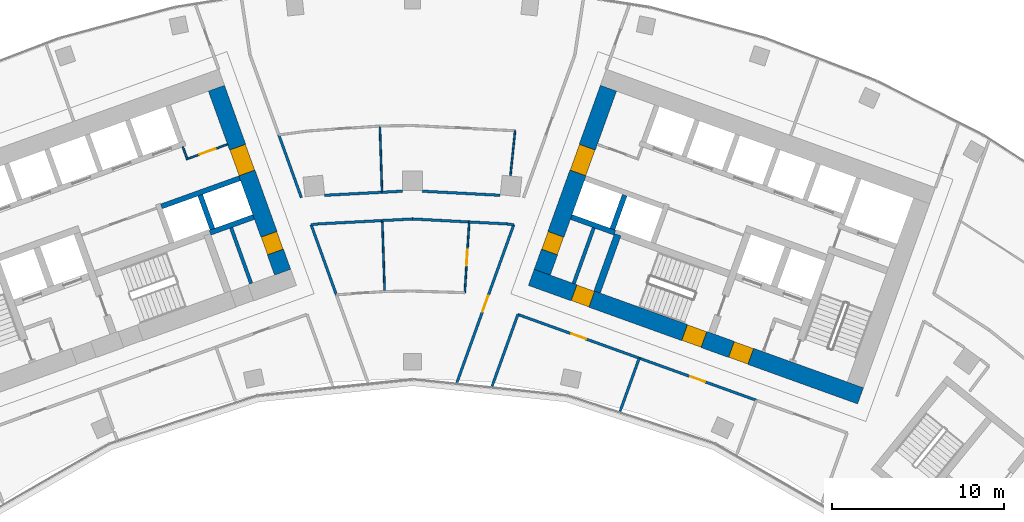
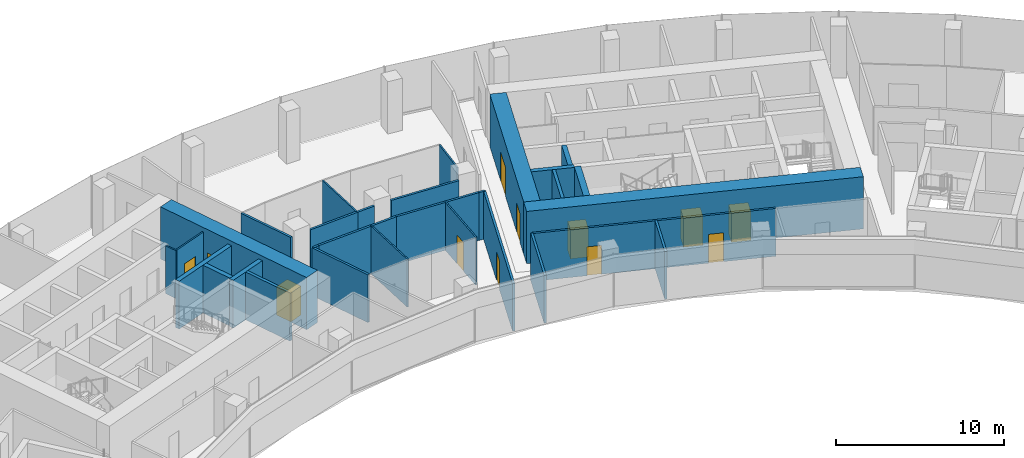
# One storey, part 14 of 19: 33 walls, 12 doors, 12 openings.
"""IFC4 building model written with IfcOpenShell, lengths in metres."""

from ifc_helpers import new_model, si_unit, direction, frame, frame_2d, origin, place, context, subcontext, project, spatial, rectangle, extrude, material, layer, layer_set, type_object, element, fill, save


model = new_model("IFC4")

# Units and contexts
model_context = context("Model", 3, precision=1e-05, world=origin(), true_north=direction((0.0, 1.0)))
body_context = subcontext(model_context, "Body", "Model", "MODEL_VIEW")
ifc_project = project(units=[si_unit("LENGTHUNIT", "METRE"), si_unit("AREAUNIT", "SQUARE_METRE"), si_unit("VOLUMEUNIT", "CUBIC_METRE"), si_unit("PLANEANGLEUNIT", "RADIAN"), si_unit("MASSUNIT", "GRAM", prefix="KILO")], contexts=[model_context])

# Site, building, storey
site_placement = place(None, origin())
site = spatial("IfcSite", under=ifc_project, at=site_placement, CompositionType="ELEMENT")
building_placement = place(site_placement, origin())
building = spatial("IfcBuilding", under=site, at=building_placement, Name="Stone Belt Terrace Tower", CompositionType="ELEMENT")
storey_placement = place(building_placement, frame((0.0, 0.0, 208.60009765625)))
storey = spatial("IfcBuildingStorey", under=building, at=storey_placement, Name="L50", CompositionType="ELEMENT", Elevation=208.60009765625)

# Wall
ifc_material_1 = material(Name="Plasterboard partition")
ifc_layer_1 = layer(ifc_material_1, 0.10009765625)
ifc_layer_set_1 = layer_set([ifc_layer_1], Name="Core partition 100")
wall_type_1 = type_object("IfcWallType", Name="Core partition 100", PredefinedType="PARTITIONING", material=ifc_layer_set_1)
wall_1_placement = place(storey_placement, frame((-13.115966796875, 56.230712890625, 0.0), z_axis=(0.0, 0.0, 1.0), x_axis=(-0.338481684961, 0.940972979923, 0.0)))
element("IfcWall", 1, at=wall_1_placement, inside=storey, type_object=wall_type_1, Name="Core A wall", PredefinedType="PARTITIONING", context=body_context, shape_type="SweptSolid", body=[
    extrude(rectangle(XDim=0.7998046875, YDim=0.10009765625, at=frame_2d((0.39990234375, 0.0))), origin(), (0.0, 0.0, 1.0), 3.47998046875),
])

# Wall, opening, door
wall_2_placement = place(storey_placement, frame((-13.085693359375, 56.294677734375, 0.0), z_axis=(0.0, 0.0, 1.0), x_axis=(0.940922976849, 0.338620660383, 0.0)))
wall_2 = element("IfcWall", 2, at=wall_2_placement, inside=storey, type_object=wall_type_1, Name="Core A wall", PredefinedType="PARTITIONING", context=body_context, shape_type="SweptSolid", body=[
    extrude(rectangle(XDim=2.449951171875, YDim=0.10009765625, at=frame_2d((1.22509765625, 0.0))), origin(), (0.0, 0.0, 1.0), 3.47998046875),
])
opening_1_placement = place(wall_2_placement, frame((0.699951171875, 0.0, 0.0)))
opening_1 = element("IfcOpeningElement", 3, at=opening_1_placement, cuts=wall_2, Name="Opening L50-C01", PredefinedType="OPENING", context=body_context, shape_type="SweptSolid", body=[
    extrude(rectangle(XDim=1.0, YDim=2.10009765625, at=frame_2d((0.5, 1.050048828125))), frame((0.0, 0.06005859375, 0.0), z_axis=(0.0, -1.0, 0.0), x_axis=(1.0, 0.0, 0.0)), (0.0, 0.0, 1.0), 0.1201171875),
])
ifc_material_2 = material(Name="Timber door leaf", Category="wood")
door_type_1 = type_object("IfcDoorType", Name="Core room door 1000", OperationType="SINGLE_SWING_LEFT", PredefinedType="DOOR", material=ifc_material_2)
door_1_placement = place(opening_1_placement, origin())
door_1 = element("IfcDoor", 4, at=door_1_placement, inside=storey, type_object=door_type_1, Name="Door to Staff pantry core A", OperationType="SINGLE_SWING_RIGHT", OverallHeight=2.10009765625, OverallWidth=1.0, PredefinedType="DOOR", context=body_context, shape_type="SweptSolid", body=[
    extrude(rectangle(XDim=1.0, YDim=2.10009765625, at=frame_2d((0.5, 1.050048828125))), frame((0.0, 0.02490234375, 0.0), z_axis=(0.0, -1.0, 0.0), x_axis=(1.0, 0.0, 0.0)), (0.0, 0.0, 1.0), 0.050048828125),
])
fill(opening_1, door_1)

# Wall, openings, doors
ifc_material_3 = material(Name="Concrete B60", Category="concrete")
ifc_layer_2 = layer(ifc_material_3, 1.0)
ifc_layer_set_2 = layer_set([ifc_layer_2], Name="Core wall 1000 B60")
wall_type_2 = type_object("IfcWallType", Name="Core wall 1000 B60", PredefinedType="SHEAR", material=ifc_layer_set_2)
wall_3_placement = place(storey_placement, frame((-7.567138671875, 49.672119140625, 0.0), z_axis=(0.0, 0.0, 1.0), x_axis=(-0.338625431531, 0.940921259788, 0.0)))
wall_3 = element("IfcWall", 5, at=wall_3_placement, inside=storey, type_object=wall_type_2, Name="Core A wall end_b L50", PredefinedType="SHEAR", context=body_context, shape_type="SweptSolid", body=[
    extrude(rectangle(XDim=11.400146484375, YDim=1.0, at=frame_2d((5.7001953125, 0.0))), origin(), (0.0, 0.0, 1.0), 3.7998046875),
])
opening_2_placement = place(wall_3_placement, frame((6.14990234375, 0.0, 0.0)))
opening_2 = element("IfcOpeningElement", 6, at=opening_2_placement, cuts=wall_3, Name="Opening L50-C04", PredefinedType="OPENING", context=body_context, shape_type="SweptSolid", body=[
    extrude(rectangle(XDim=1.60009765625, YDim=2.10009765625, at=frame_2d((0.800048828125, 1.050048828125))), frame((0.0, 0.510009765625, 0.0), z_axis=(0.0, -1.0, 0.0), x_axis=(1.0, 0.0, 0.0)), (0.0, 0.0, 1.0), 1.02001953125),
])
opening_3_placement = place(wall_3_placement, frame((1.25, 0.0, 0.0)))
opening_3 = element("IfcOpeningElement", 7, at=opening_3_placement, cuts=wall_3, Name="Opening L50-C10", PredefinedType="OPENING", context=body_context, shape_type="SweptSolid", body=[
    extrude(rectangle(XDim=1.10009765625, YDim=2.10009765625, at=frame_2d((0.550048828125, 1.050048828125))), frame((0.0, 0.510009765625, 0.0), z_axis=(0.0, -1.0, 0.0), x_axis=(1.0, 0.0, 0.0)), (0.0, 0.0, 1.0), 1.02001953125),
])
door_type_2 = type_object("IfcDoorType", Name="Core room door 1100", OperationType="SINGLE_SWING_LEFT", PredefinedType="DOOR", material=ifc_material_2)
door_2_placement = place(opening_3_placement, origin())
door_2 = element("IfcDoor", 8, at=door_2_placement, inside=storey, type_object=door_type_2, Name="Door to Cleaner's store core A", OperationType="SINGLE_SWING_LEFT", OverallHeight=2.10009765625, OverallWidth=1.10009765625, PredefinedType="DOOR", context=body_context, shape_type="SweptSolid", body=[
    extrude(rectangle(XDim=1.10009765625, YDim=2.10009765625, at=frame_2d((0.550048828125, 1.050048828125))), frame((0.0, 0.47998046875, 0.0), z_axis=(0.0, -1.0, 0.0), x_axis=(1.0, 0.0, 0.0)), (0.0, 0.0, 1.0), 0.9599609375),
])
fill(opening_3, door_2)
ifc_material_4 = material(Name="Glazed aluminium door leaf", Category="aluminium")
door_type_3 = type_object("IfcDoorType", Name="Lift lobby entrance door 1600", OperationType="DOUBLE_DOOR_SINGLE_SWING", PredefinedType="DOOR", material=ifc_material_4)
door_3_placement = place(opening_2_placement, origin())
door_3 = element("IfcDoor", 9, at=door_3_placement, inside=storey, type_object=door_type_3, Name="Lift lobby entrance door core A", OperationType="DOUBLE_DOOR_SINGLE_SWING", OverallHeight=2.10009765625, OverallWidth=1.60009765625, PredefinedType="DOOR", context=body_context, shape_type="SweptSolid", body=[
    extrude(rectangle(XDim=1.60009765625, YDim=2.10009765625, at=frame_2d((0.800048828125, 1.050048828125))), frame((0.0, 0.47998046875, 0.0), z_axis=(0.0, -1.0, 0.0), x_axis=(1.0, 0.0, 0.0)), (0.0, 0.0, 1.0), 0.9599609375),
])
fill(opening_2, door_3)

wall_4_placement = place(storey_placement, frame((6.927490234375, 49.370849609375, 0.0), z_axis=(0.0, 0.0, 1.0), x_axis=(0.940921428504, -0.338624962727, 0.0)))
wall_4 = element("IfcWall", 10, at=wall_4_placement, inside=storey, type_object=wall_type_2, Name="Core B wall concave L50", PredefinedType="SHEAR", context=body_context, shape_type="SweptSolid", body=[
    extrude(rectangle(XDim=20.400146484375, YDim=1.0, at=frame_2d((10.2001953125, 0.0))), origin(), (0.0, 0.0, 1.0), 3.7998046875),
])
opening_4_placement = place(wall_4_placement, frame((12.39990234375, 0.0, 0.0)))
opening_4 = element("IfcOpeningElement", 11, at=opening_4_placement, cuts=wall_4, Name="Opening L50-C18", PredefinedType="OPENING", context=body_context, shape_type="SweptSolid", body=[
    extrude(rectangle(XDim=1.199951171875, YDim=2.10009765625, at=frame_2d((0.60009765625, 1.050048828125))), frame((0.0, 0.510009765625, 0.0), z_axis=(0.0, -1.0, 0.0), x_axis=(1.0, 0.0, 0.0)), (0.0, 0.0, 1.0), 1.02001953125),
])
opening_5_placement = place(wall_4_placement, frame((9.5, 0.0, 0.0)))
opening_5 = element("IfcOpeningElement", 12, at=opening_5_placement, cuts=wall_4, Name="Opening L50-C20", PredefinedType="OPENING", context=body_context, shape_type="SweptSolid", body=[
    extrude(rectangle(XDim=1.199951171875, YDim=2.10009765625, at=frame_2d((0.60009765625, 1.050048828125))), frame((0.0, 0.510009765625, 0.0), z_axis=(0.0, -1.0, 0.0), x_axis=(1.0, 0.0, 0.0)), (0.0, 0.0, 1.0), 1.02001953125),
])
opening_6_placement = place(wall_4_placement, frame((2.64990234375, 0.0, 0.0)))
opening_6 = element("IfcOpeningElement", 13, at=opening_6_placement, cuts=wall_4, Name="Opening L50-C22", PredefinedType="OPENING", context=body_context, shape_type="SweptSolid", body=[
    extrude(rectangle(XDim=1.10009765625, YDim=2.10009765625, at=frame_2d((0.550048828125, 1.050048828125))), frame((0.0, 0.510009765625, 0.0), z_axis=(0.0, -1.0, 0.0), x_axis=(1.0, 0.0, 0.0)), (0.0, 0.0, 1.0), 1.02001953125),
])
door_4_placement = place(opening_6_placement, origin())
door_4 = element("IfcDoor", 14, at=door_4_placement, inside=storey, type_object=door_type_2, Name="Door to Communications riser room core B", OperationType="SINGLE_SWING_LEFT", OverallHeight=2.10009765625, OverallWidth=1.10009765625, PredefinedType="DOOR", context=body_context, shape_type="SweptSolid", body=[
    extrude(rectangle(XDim=1.10009765625, YDim=2.10009765625, at=frame_2d((0.550048828125, 1.050048828125))), frame((0.0, 0.47998046875, 0.0), z_axis=(0.0, -1.0, 0.0), x_axis=(1.0, 0.0, 0.0)), (0.0, 0.0, 1.0), 0.9599609375),
])
fill(opening_6, door_4)
ifc_material_5 = material(Name="Steel door leaf", Category="steel")
door_type_4 = type_object("IfcDoorType", Name="Fire-fighting lobby door 1200", OperationType="SINGLE_SWING_LEFT", PredefinedType="DOOR", material=ifc_material_5)
door_5_placement = place(opening_4_placement, origin())
door_5 = element("IfcDoor", 15, at=door_5_placement, inside=storey, type_object=door_type_4, Name="Fire-fighting lobby door core B", OperationType="SINGLE_SWING_LEFT", OverallHeight=2.10009765625, OverallWidth=1.199951171875, PredefinedType="DOOR", context=body_context, shape_type="SweptSolid", body=[
    extrude(rectangle(XDim=1.199951171875, YDim=2.10009765625, at=frame_2d((0.60009765625, 1.050048828125))), frame((0.0, 0.47998046875, 0.0), z_axis=(0.0, -1.0, 0.0), x_axis=(1.0, 0.0, 0.0)), (0.0, 0.0, 1.0), 0.9599609375),
])
fill(opening_4, door_5)
door_type_5 = type_object("IfcDoorType", Name="Stair door 1200", OperationType="SINGLE_SWING_LEFT", PredefinedType="DOOR", material=ifc_material_5)
door_6_placement = place(opening_5_placement, origin())
door_6 = element("IfcDoor", 16, at=door_6_placement, inside=storey, type_object=door_type_5, Name="Stair 2 exit door core B", OperationType="SINGLE_SWING_RIGHT", OverallHeight=2.10009765625, OverallWidth=1.199951171875, PredefinedType="DOOR", context=body_context, shape_type="SweptSolid", body=[
    extrude(rectangle(XDim=1.199951171875, YDim=2.10009765625, at=frame_2d((0.60009765625, 1.050048828125))), frame((0.0, 0.47998046875, 0.0), z_axis=(0.0, -1.0, 0.0), x_axis=(1.0, 0.0, 0.0)), (0.0, 0.0, 1.0), 0.9599609375),
])
fill(opening_5, door_6)

wall_5_placement = place(storey_placement, frame((7.567138671875, 49.672119140625, 0.0), z_axis=(0.0, 0.0, 1.0), x_axis=(0.338625431531, 0.940921259788, 0.0)))
wall_5 = element("IfcWall", 17, at=wall_5_placement, inside=storey, type_object=wall_type_2, Name="Core B wall end_a L50", PredefinedType="SHEAR", context=body_context, shape_type="SweptSolid", body=[
    extrude(rectangle(XDim=11.400146484375, YDim=1.0, at=frame_2d((5.7001953125, 0.0))), origin(), (0.0, 0.0, 1.0), 3.7998046875),
])
opening_7_placement = place(wall_5_placement, frame((6.14990234375, 0.0, 0.0)))
opening_7 = element("IfcOpeningElement", 18, at=opening_7_placement, cuts=wall_5, Name="Opening L50-C15", PredefinedType="OPENING", context=body_context, shape_type="SweptSolid", body=[
    extrude(rectangle(XDim=1.60009765625, YDim=2.10009765625, at=frame_2d((0.800048828125, 1.050048828125))), frame((0.0, 0.510009765625, 0.0), z_axis=(0.0, -1.0, 0.0), x_axis=(1.0, 0.0, 0.0)), (0.0, 0.0, 1.0), 1.02001953125),
])
opening_8_placement = place(wall_5_placement, frame((1.25, 0.0, 0.0)))
opening_8 = element("IfcOpeningElement", 19, at=opening_8_placement, cuts=wall_5, Name="Opening L50-C21", PredefinedType="OPENING", context=body_context, shape_type="SweptSolid", body=[
    extrude(rectangle(XDim=1.10009765625, YDim=2.10009765625, at=frame_2d((0.550048828125, 1.050048828125))), frame((0.0, 0.510009765625, 0.0), z_axis=(0.0, -1.0, 0.0), x_axis=(1.0, 0.0, 0.0)), (0.0, 0.0, 1.0), 1.02001953125),
])
door_7_placement = place(opening_8_placement, origin())
door_7 = element("IfcDoor", 20, at=door_7_placement, inside=storey, type_object=door_type_2, Name="Door to Cleaner's store core B", OperationType="SINGLE_SWING_RIGHT", OverallHeight=2.10009765625, OverallWidth=1.10009765625, PredefinedType="DOOR", context=body_context, shape_type="SweptSolid", body=[
    extrude(rectangle(XDim=1.10009765625, YDim=2.10009765625, at=frame_2d((0.550048828125, 1.050048828125))), frame((0.0, 0.47998046875, 0.0), z_axis=(0.0, -1.0, 0.0), x_axis=(1.0, 0.0, 0.0)), (0.0, 0.0, 1.0), 0.9599609375),
])
fill(opening_8, door_7)
door_8_placement = place(opening_7_placement, origin())
door_8 = element("IfcDoor", 21, at=door_8_placement, inside=storey, type_object=door_type_3, Name="Lift lobby entrance door core B", OperationType="DOUBLE_DOOR_SINGLE_SWING", OverallHeight=2.10009765625, OverallWidth=1.60009765625, PredefinedType="DOOR", context=body_context, shape_type="SweptSolid", body=[
    extrude(rectangle(XDim=1.60009765625, YDim=2.10009765625, at=frame_2d((0.800048828125, 1.050048828125))), frame((0.0, 0.47998046875, 0.0), z_axis=(0.0, -1.0, 0.0), x_axis=(1.0, 0.0, 0.0)), (0.0, 0.0, 1.0), 0.9599609375),
])
fill(opening_7, door_8)

# Walls
ifc_material_6 = material(Name="Concrete B80", Category="concrete")
ifc_layer_3 = layer(ifc_material_6, 0.300048828125)
ifc_layer_set_3 = layer_set([ifc_layer_3], Name="Lift shaft wall 300")
wall_type_3 = type_object("IfcWallType", Name="Lift shaft wall 300", PredefinedType="SHEAR", material=ifc_layer_set_3)
wall_6_placement = place(storey_placement, frame((-14.6328125, 53.506103515625, 0.0), z_axis=(0.0, 0.0, 1.0), x_axis=(0.940931684323, 0.338596464007, 0.0)))
element("IfcWall", 22, at=wall_6_placement, inside=storey, type_object=wall_type_3, Name="Core A wall", PredefinedType="SHEAR", context=body_context, shape_type="SweptSolid", body=[
    extrude(rectangle(XDim=4.849609375, YDim=0.300048828125, at=frame_2d((2.4248046875, 0.0))), origin(), (0.0, 0.0, 1.0), 3.47998046875),
])
wall_7_placement = place(storey_placement, frame((-11.797119140625, 51.975830078125, 0.0), z_axis=(0.0, 0.0, 1.0), x_axis=(0.940910465161, 0.33865542451, 0.0)))
element("IfcWall", 23, at=wall_7_placement, inside=storey, type_object=wall_type_3, Name="Core A wall", PredefinedType="SHEAR", context=body_context, shape_type="SweptSolid", body=[
    extrude(rectangle(XDim=2.69970703125, YDim=0.300048828125, at=frame_2d((1.349853515625, 0.0))), origin(), (0.0, 0.0, 1.0), 3.47998046875),
])
wall_8_placement = place(storey_placement, frame((-11.659912109375, 52.184814453125, 0.0), z_axis=(0.0, 0.0, 1.0), x_axis=(-0.338670064856, 0.940905195634, 0.0)))
element("IfcWall", 24, at=wall_8_placement, inside=storey, type_object=wall_type_3, Name="Core A wall", PredefinedType="SHEAR", context=body_context, shape_type="SweptSolid", body=[
    extrude(rectangle(XDim=2.099853515625, YDim=0.300048828125, at=frame_2d((1.0498046875, 0.0))), origin(), (0.0, 0.0, 1.0), 3.47998046875),
])
wall_9_placement = place(storey_placement, frame((11.797119140625, 51.975830078125, 0.0), z_axis=(0.0, 0.0, 1.0), x_axis=(-0.940910465161, 0.33865542451, 0.0)))
element("IfcWall", 25, at=wall_9_placement, inside=storey, type_object=wall_type_3, Name="Core B wall", PredefinedType="SHEAR", context=body_context, shape_type="SweptSolid", body=[
    extrude(rectangle(XDim=2.69970703125, YDim=0.300048828125, at=frame_2d((1.349853515625, 0.0))), origin(), (0.0, 0.0, 1.0), 3.47998046875),
])
wall_10_placement = place(storey_placement, frame((11.659912109375, 52.184814453125, 0.0), z_axis=(0.0, 0.0, 1.0), x_axis=(0.338670064856, 0.940905195634, 0.0)))
element("IfcWall", 26, at=wall_10_placement, inside=storey, type_object=wall_type_3, Name="Core B wall", PredefinedType="SHEAR", context=body_context, shape_type="SweptSolid", body=[
    extrude(rectangle(XDim=2.099853515625, YDim=0.300048828125, at=frame_2d((1.0498046875, 0.0))), origin(), (0.0, 0.0, 1.0), 3.47998046875),
])

# Wall, opening, door
ifc_material_7 = material(Name="Gypsum board partition")
ifc_layer_4 = layer(ifc_material_7, 0.10009765625)
ifc_layer_set_4 = layer_set([ifc_layer_4], Name="PARTITION 100")
wall_type_4 = type_object("IfcWallType", Name="PARTITION 100", PredefinedType="PARTITIONING", material=ifc_layer_set_4)
wall_11_placement = place(storey_placement, frame((3.051025390625, 48.47900390625, 0.0), z_axis=(0.0, 0.0, 1.0), x_axis=(0.06270205235, 0.998032290375, 0.0)))
wall_11 = element("IfcWall", 27, at=wall_11_placement, inside=storey, type_object=wall_type_4, Name="L50/wall/i084", PredefinedType="PARTITIONING", context=body_context, shape_type="SweptSolid", body=[
    extrude(rectangle(XDim=4.131103515625, YDim=0.10009765625, at=frame_2d((2.0654296875, 0.0))), origin(), (0.0, 0.0, 1.0), 3.47998046875),
])
opening_9_placement = place(wall_11_placement, frame((1.615478515625, 0.0, 0.0)))
opening_9 = element("IfcOpeningElement", 28, at=opening_9_placement, cuts=wall_11, Name="Opening D-D2-24", PredefinedType="OPENING", context=body_context, shape_type="SweptSolid", body=[
    extrude(rectangle(XDim=0.89990234375, YDim=2.10009765625, at=frame_2d((0.449951171875, 1.050048828125))), frame((0.0, 0.06005859375, 0.0), z_axis=(0.0, -1.0, 0.0), x_axis=(1.0, 0.0, 0.0)), (0.0, 0.0, 1.0), 0.1201171875),
])
door_type_6 = type_object("IfcDoorType", Name="OFFICE DOOR 900 X 2100", OperationType="NOTDEFINED", PredefinedType="DOOR", material=ifc_material_2)
door_9_placement = place(opening_9_placement, origin())
door_9 = element("IfcDoor", 29, at=door_9_placement, inside=storey, type_object=door_type_6, Name="L50/door/i24", OperationType="SINGLE_SWING_RIGHT", OverallHeight=2.10009765625, OverallWidth=0.89990234375, PredefinedType="DOOR", context=body_context, shape_type="SweptSolid", body=[
    extrude(rectangle(XDim=0.89990234375, YDim=2.10009765625, at=frame_2d((0.449951171875, 1.050048828125))), frame((0.0, 0.02490234375, 0.0), z_axis=(0.0, -1.0, 0.0), x_axis=(1.0, 0.0, 0.0)), (0.0, 0.0, 1.0), 0.050048828125),
])
fill(opening_9, door_9)

# Walls
wall_12_placement = place(storey_placement, frame((-1.758056640625, 52.68310546875, 0.0), z_axis=(0.0, 0.0, 1.0), x_axis=(0.033340372629, -0.999444055239, 0.0)))
element("IfcWall", 30, at=wall_12_placement, inside=storey, type_object=wall_type_4, Name="L50/wall/i085", PredefinedType="PARTITIONING", context=body_context, shape_type="SweptSolid", body=[
    extrude(rectangle(XDim=4.13720703125, YDim=0.10009765625, at=frame_2d((2.068603515625, 0.0))), origin(), (0.0, 0.0, 1.0), 3.47998046875),
])
wall_13_placement = place(storey_placement, frame((5.71484375, 55.310546875, 0.0), z_axis=(0.0, 0.0, 1.0), x_axis=(0.102676629499, 0.994714788145, 0.0)))
element("IfcWall", 31, at=wall_13_placement, inside=storey, type_object=wall_type_4, Name="L50/wall/i088", PredefinedType="PARTITIONING", context=body_context, shape_type="SweptSolid", body=[
    extrude(rectangle(XDim=2.620361328125, YDim=0.10009765625, at=frame_2d((1.31005859375, 0.0))), origin(), (0.0, 0.0, 1.0), 3.47998046875),
])
wall_14_placement = place(storey_placement, frame((-1.89892578125, 58.194091796875, 0.0), z_axis=(0.0, 0.0, 1.0), x_axis=(0.03285411733, -0.999460157772, 0.0)))
element("IfcWall", 32, at=wall_14_placement, inside=storey, type_object=wall_type_4, Name="L50/wall/i091", PredefinedType="PARTITIONING", context=body_context, shape_type="SweptSolid", body=[
    extrude(rectangle(XDim=3.8642578125, YDim=0.10009765625, at=frame_2d((1.93212890625, 0.0))), origin(), (0.0, 0.0, 1.0), 3.47998046875),
])
ifc_layer_5 = layer(ifc_material_7, 0.14990234375)
ifc_layer_set_5 = layer_set([ifc_layer_5], Name="PARTITION 150 EI 60")
wall_type_5 = type_object("IfcWallType", Name="PARTITION 150 EI 60", PredefinedType="PARTITIONING", material=ifc_layer_set_5)
wall_15_placement = place(storey_placement, frame((-5.906005859375, 52.44091796875, 0.0), z_axis=(0.0, 0.0, 1.0), x_axis=(0.338528709478, -0.940956063193, 0.0)))
element("IfcWall", 33, at=wall_15_placement, inside=storey, type_object=wall_type_5, Name="L50/wall/i011", PredefinedType="PARTITIONING", context=body_context, shape_type="SweptSolid", body=[
    extrude(rectangle(XDim=4.350830078125, YDim=0.14990234375, at=frame_2d((2.17529296875, 0.0))), origin(), (0.0, 0.0, 1.0), 3.47998046875),
])
wall_16_placement = place(storey_placement, frame((-7.791015625, 57.677978515625, 0.0), z_axis=(0.0, 0.0, 1.0), x_axis=(0.338503743671, -0.940965044792, 0.0)))
element("IfcWall", 34, at=wall_16_placement, inside=storey, type_object=wall_type_5, Name="L50/wall/i014", PredefinedType="PARTITIONING", context=body_context, shape_type="SweptSolid", body=[
    extrude(rectangle(XDim=3.887451171875, YDim=0.14990234375, at=frame_2d((1.94384765625, 0.0))), origin(), (0.0, 0.0, 1.0), 3.47998046875),
])
wall_17_placement = place(storey_placement, frame((6.14990234375, 47.212890625, 0.0), z_axis=(0.0, 0.0, 1.0), x_axis=(-0.338583902482, -0.940936204522, 0.0)))
element("IfcWall", 35, at=wall_17_placement, inside=storey, type_object=wall_type_5, Name="L50/wall/i022", PredefinedType="PARTITIONING", context=body_context, shape_type="SweptSolid", body=[
    extrude(rectangle(XDim=4.464111328125, YDim=0.14990234375, at=frame_2d((2.23193359375, 0.0))), origin(), (0.0, 0.0, 1.0), 3.47998046875),
])

# Wall, opening, door
wall_18_placement = place(storey_placement, frame((2.590087890625, 43.227783203125, 0.0), z_axis=(0.0, 0.0, 1.0), x_axis=(0.33864618549, 0.940913790447, 0.0)))
wall_18 = element("IfcWall", 36, at=wall_18_placement, inside=storey, type_object=wall_type_5, Name="L50/wall/i024", PredefinedType="PARTITIONING", context=body_context, shape_type="SweptSolid", body=[
    extrude(rectangle(XDim=9.791748046875, YDim=0.14990234375, at=frame_2d((4.89599609375, 0.0))), origin(), (0.0, 0.0, 1.0), 3.47998046875),
])
opening_10_placement = place(wall_18_placement, frame((4.39599609375, 0.0, 0.0)))
opening_10 = element("IfcOpeningElement", 37, at=opening_10_placement, cuts=wall_18, Name="Opening D-D2-22", PredefinedType="OPENING", context=body_context, shape_type="SweptSolid", body=[
    extrude(rectangle(XDim=1.0, YDim=2.10009765625, at=frame_2d((0.5, 1.050048828125))), frame((0.0, 0.0849609375, 0.0), z_axis=(0.0, -1.0, 0.0), x_axis=(1.0, 0.0, 0.0)), (0.0, 0.0, 1.0), 0.169921875),
])
ifc_material_8 = material(Name="Timber fire door leaf", Category="wood")
door_type_7 = type_object("IfcDoorType", Name="TENANCY ENTRANCE DOOR 1000 X 2100", OperationType="NOTDEFINED", PredefinedType="DOOR", material=ifc_material_8)
door_10_placement = place(opening_10_placement, origin())
door_10 = element("IfcDoor", 38, at=door_10_placement, inside=storey, type_object=door_type_7, Name="L50/door/i22", OperationType="SINGLE_SWING_LEFT", OverallHeight=2.10009765625, OverallWidth=1.0, PredefinedType="DOOR", context=body_context, shape_type="SweptSolid", body=[
    extrude(rectangle(XDim=1.0, YDim=2.10009765625, at=frame_2d((0.5, 1.050048828125))), frame((0.0, 0.02490234375, 0.0), z_axis=(0.0, -1.0, 0.0), x_axis=(1.0, 0.0, 0.0)), (0.0, 0.0, 1.0), 0.050048828125),
])
fill(opening_10, door_10)

wall_19_placement = place(storey_placement, frame((13.22705078125, 44.659912109375, 0.0), z_axis=(0.0, 0.0, 1.0), x_axis=(-0.940930018607, 0.338601092858, 0.0)))
wall_19 = element("IfcWall", 39, at=wall_19_placement, inside=storey, type_object=wall_type_5, Name="L50/wall/i033", PredefinedType="PARTITIONING", context=body_context, shape_type="SweptSolid", body=[
    extrude(rectangle(XDim=7.5224609375, YDim=0.14990234375, at=frame_2d((3.76123046875, 0.0))), origin(), (0.0, 0.0, 1.0), 3.47998046875),
])
opening_11_placement = place(wall_19_placement, frame((3.311279296875, 0.0, 0.0)))
opening_11 = element("IfcOpeningElement", 40, at=opening_11_placement, cuts=wall_19, Name="Opening D-D2-06", PredefinedType="OPENING", context=body_context, shape_type="SweptSolid", body=[
    extrude(rectangle(XDim=0.89990234375, YDim=2.10009765625, at=frame_2d((0.449951171875, 1.050048828125))), frame((0.0, 0.0849609375, 0.0), z_axis=(0.0, -1.0, 0.0), x_axis=(1.0, 0.0, 0.0)), (0.0, 0.0, 1.0), 0.169921875),
])
door_11_placement = place(opening_11_placement, origin())
door_11 = element("IfcDoor", 41, at=door_11_placement, inside=storey, type_object=door_type_6, Name="L50/door/i06", OperationType="SINGLE_SWING_RIGHT", OverallHeight=2.10009765625, OverallWidth=0.89990234375, PredefinedType="DOOR", context=body_context, shape_type="SweptSolid", body=[
    extrude(rectangle(XDim=0.89990234375, YDim=2.10009765625, at=frame_2d((0.449951171875, 1.050048828125))), frame((0.0, 0.02490234375, 0.0), z_axis=(0.0, -1.0, 0.0), x_axis=(1.0, 0.0, 0.0)), (0.0, 0.0, 1.0), 0.050048828125),
])
fill(opening_11, door_11)

wall_20_placement = place(storey_placement, frame((20.049072265625, 42.205078125, 0.0), z_axis=(0.0, 0.0, 1.0), x_axis=(-0.940942249556, 0.338567102655, 0.0)))
wall_20 = element("IfcWall", 42, at=wall_20_placement, inside=storey, type_object=wall_type_5, Name="L50/wall/i034", PredefinedType="PARTITIONING", context=body_context, shape_type="SweptSolid", body=[
    extrude(rectangle(XDim=7.262939453125, YDim=0.14990234375, at=frame_2d((3.63134765625, 0.0))), origin(), (0.0, 0.0, 1.0), 3.47998046875),
])
opening_12_placement = place(wall_20_placement, frame((3.181396484375, 0.0, 0.0)))
opening_12 = element("IfcOpeningElement", 43, at=opening_12_placement, cuts=wall_20, Name="Opening D-D2-07", PredefinedType="OPENING", context=body_context, shape_type="SweptSolid", body=[
    extrude(rectangle(XDim=0.89990234375, YDim=2.10009765625, at=frame_2d((0.449951171875, 1.050048828125))), frame((0.0, 0.0849609375, 0.0), z_axis=(0.0, -1.0, 0.0), x_axis=(1.0, 0.0, 0.0)), (0.0, 0.0, 1.0), 0.169921875),
])
door_12_placement = place(opening_12_placement, origin())
door_12 = element("IfcDoor", 44, at=door_12_placement, inside=storey, type_object=door_type_6, Name="L50/door/i07", OperationType="SINGLE_SWING_RIGHT", OverallHeight=2.10009765625, OverallWidth=0.89990234375, PredefinedType="DOOR", context=body_context, shape_type="SweptSolid", body=[
    extrude(rectangle(XDim=0.89990234375, YDim=2.10009765625, at=frame_2d((0.449951171875, 1.050048828125))), frame((0.0, 0.02490234375, 0.0), z_axis=(0.0, -1.0, 0.0), x_axis=(1.0, 0.0, 0.0)), (0.0, 0.0, 1.0), 0.050048828125),
])
fill(opening_12, door_12)

# Walls
wall_21_placement = place(storey_placement, frame((13.220947265625, 44.662109375, 0.0), z_axis=(0.0, 0.0, 1.0), x_axis=(-0.338677571581, -0.940902493624, 0.0)))
element("IfcWall", 45, at=wall_21_placement, inside=storey, type_object=wall_type_5, Name="L50/wall/i036", PredefinedType="PARTITIONING", context=body_context, shape_type="SweptSolid", body=[
    extrude(rectangle(XDim=3.301513671875, YDim=0.14990234375, at=frame_2d((1.65087890625, 0.0))), origin(), (0.0, 0.0, 1.0), 3.47998046875),
])
wall_22_placement = place(storey_placement, frame((5.904052734375, 52.43603515625, 0.0), z_axis=(0.0, 0.0, 1.0), x_axis=(-0.991780421826, 0.127951533338, 0.0)))
element("IfcWall", 46, at=wall_22_placement, inside=storey, type_object=wall_type_5, Name="L50/wall/i072", PredefinedType="PARTITIONING", context=body_context, shape_type="SweptSolid", body=[
    extrude(rectangle(XDim=0.39111328125, YDim=0.14990234375, at=frame_2d((0.195556640625, 0.0))), origin(), (0.0, 0.0, 1.0), 3.47998046875),
])
wall_23_placement = place(storey_placement, frame((5.51611328125, 52.486083984375, 0.0), z_axis=(0.0, 0.0, 1.0), x_axis=(-0.998628767905, 0.052350586553, 0.0)))
element("IfcWall", 47, at=wall_23_placement, inside=storey, type_object=wall_type_5, Name="L50/wall/i073", PredefinedType="PARTITIONING", context=body_context, shape_type="SweptSolid", body=[
    extrude(rectangle(XDim=2.215087890625, YDim=0.14990234375, at=frame_2d((1.107421875, 0.0))), origin(), (0.0, 0.0, 1.0), 3.47998046875),
])
wall_24_placement = place(storey_placement, frame((-1.751953125, 52.68310546875, 0.0), z_axis=(0.0, 0.0, 1.0), x_axis=(-0.99863299609, -0.052269868196, 0.0)))
element("IfcWall", 48, at=wall_24_placement, inside=storey, type_object=wall_type_5, Name="L50/wall/i074", PredefinedType="PARTITIONING", context=body_context, shape_type="SweptSolid", body=[
    extrude(rectangle(XDim=3.769287109375, YDim=0.14990234375, at=frame_2d((1.884765625, 0.0))), origin(), (0.0, 0.0, 1.0), 3.47998046875),
])
wall_25_placement = place(storey_placement, frame((-5.51611328125, 52.486083984375, 0.0), z_axis=(0.0, 0.0, 1.0), x_axis=(-0.991780421826, -0.127951533338, 0.0)))
element("IfcWall", 49, at=wall_25_placement, inside=storey, type_object=wall_type_5, Name="L50/wall/i075", PredefinedType="PARTITIONING", context=body_context, shape_type="SweptSolid", body=[
    extrude(rectangle(XDim=0.39111328125, YDim=0.14990234375, at=frame_2d((0.195556640625, 0.0))), origin(), (0.0, 0.0, 1.0), 3.47998046875),
])
wall_26_placement = place(storey_placement, frame((3.31591796875, 52.60107421875, 0.0), z_axis=(0.0, 0.0, 1.0), x_axis=(-0.998628775541, 0.052350440891, 0.0)))
element("IfcWall", 50, at=wall_26_placement, inside=storey, type_object=wall_type_5, Name="L50/wall/i076", PredefinedType="PARTITIONING", context=body_context, shape_type="SweptSolid", body=[
    extrude(rectangle(XDim=3.320556640625, YDim=0.14990234375, at=frame_2d((1.66015625, 0.0))), origin(), (0.0, 0.0, 1.0), 3.47998046875),
])
wall_27_placement = place(storey_placement, frame((0.0, 52.77490234375, 0.0), z_axis=(0.0, 0.0, 1.0), x_axis=(-0.998648584399, -0.051971192766, 0.0)))
element("IfcWall", 51, at=wall_27_placement, inside=storey, type_object=wall_type_5, Name="L50/wall/i077", PredefinedType="PARTITIONING", context=body_context, shape_type="SweptSolid", body=[
    extrude(rectangle(XDim=1.766357421875, YDim=0.14990234375, at=frame_2d((0.88330078125, 0.0))), origin(), (0.0, 0.0, 1.0), 3.47998046875),
])
wall_28_placement = place(storey_placement, frame((-5.115478515625, 54.156982421875, 0.0), z_axis=(0.0, 0.0, 1.0), x_axis=(0.998637066003, 0.052192053089, 0.0)))
element("IfcWall", 52, at=wall_28_placement, inside=storey, type_object=wall_type_5, Name="L50/wall/i078", PredefinedType="PARTITIONING", context=body_context, shape_type="SweptSolid", body=[
    extrude(rectangle(XDim=3.35400390625, YDim=0.14990234375, at=frame_2d((1.677001953125, 0.0))), origin(), (0.0, 0.0, 1.0), 3.47998046875),
])
wall_29_placement = place(storey_placement, frame((-1.778076171875, 54.33203125, 0.0), z_axis=(0.0, 0.0, 1.0), x_axis=(0.998635663079, 0.052218889557, 0.0)))
element("IfcWall", 53, at=wall_29_placement, inside=storey, type_object=wall_type_5, Name="L50/wall/i079", PredefinedType="PARTITIONING", context=body_context, shape_type="SweptSolid", body=[
    extrude(rectangle(XDim=1.206298828125, YDim=0.14990234375, at=frame_2d((0.60302734375, 0.0))), origin(), (0.0, 0.0, 1.0), 3.47998046875),
])
wall_30_placement = place(storey_placement, frame((0.5732421875, 54.39501953125, 0.0), z_axis=(0.0, 0.0, 1.0), x_axis=(0.998632924974, -0.052271226855, 0.0)))
element("IfcWall", 54, at=wall_30_placement, inside=storey, type_object=wall_type_5, Name="L50/wall/i080", PredefinedType="PARTITIONING", context=body_context, shape_type="SweptSolid", body=[
    extrude(rectangle(XDim=4.54443359375, YDim=0.14990234375, at=frame_2d((2.272216796875, 0.0))), origin(), (0.0, 0.0, 1.0), 3.47998046875),
])
ifc_material_9 = material(Name="Concrete masonry block", Category="masonry")
ifc_layer_6 = layer(ifc_material_9, 0.199951171875)
ifc_layer_set_6 = layer_set([ifc_layer_6], Name="Rated lobby wall 200")
wall_type_6 = type_object("IfcWallType", Name="Rated lobby wall 200", PredefinedType="PARTITIONING", material=ifc_layer_set_6)
for number, where, z_axis, x_axis, name in (
    (55, (-9.402099609375, 49.01171875, 0.0), (0.0, 0.0, 1.0), (-0.338599189079, 0.940930703695, 0.0), "Core A wall"),
    (56, (9.402099609375, 49.01171875, 0.0), (0.0, 0.0, 1.0), (0.338599189079, 0.940930703695, 0.0), "Core B wall"),
):
    element("IfcWall", number, at=place(storey_placement, frame(where, z_axis=z_axis, x_axis=x_axis)), inside=storey, type_object=wall_type_6, Name=name, PredefinedType="PARTITIONING", context=body_context, shape_type="SweptSolid", body=[
        extrude(rectangle(XDim=3.4501953125, YDim=0.199951171875, at=frame_2d((1.72509765625, 0.0))), origin(), (0.0, 0.0, 1.0), 3.47998046875),
    ])
ifc_layer_7 = layer(ifc_material_6, 0.39990234375)
ifc_layer_set_7 = layer_set([ifc_layer_7], Name="Stair enclosure wall 400")
wall_type_7 = type_object("IfcWallType", Name="Stair enclosure wall 400", PredefinedType="SHEAR", material=ifc_layer_set_7)
wall_31_placement = place(storey_placement, frame((10.766357421875, 48.520751953125, 0.0), z_axis=(0.0, 0.0, 1.0), x_axis=(0.338626928157, 0.94092072117, 0.0)))
element("IfcWall", 57, at=wall_31_placement, inside=storey, type_object=wall_type_7, Name="Core B wall", PredefinedType="SHEAR", context=body_context, shape_type="SweptSolid", body=[
    extrude(rectangle(XDim=3.550048828125, YDim=0.39990234375, at=frame_2d((1.77490234375, 0.0))), origin(), (0.0, 0.0, 1.0), 3.47998046875),
])

save(model, "model.ifc")
